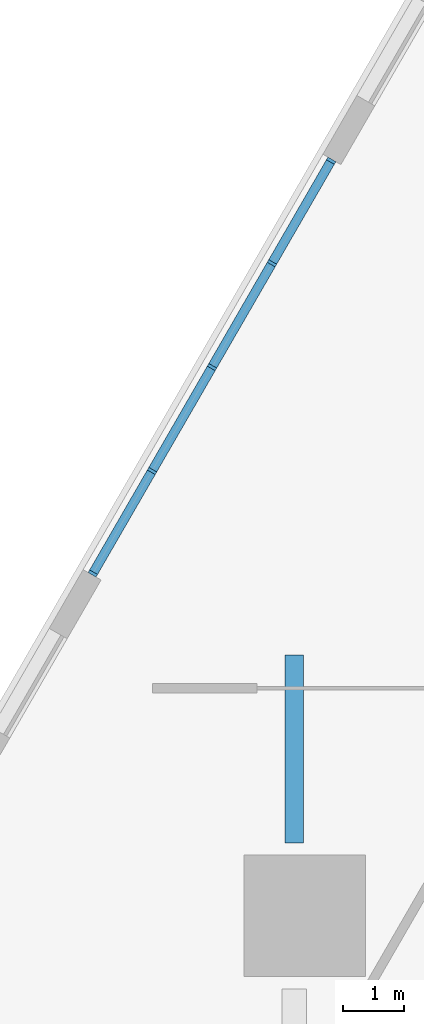
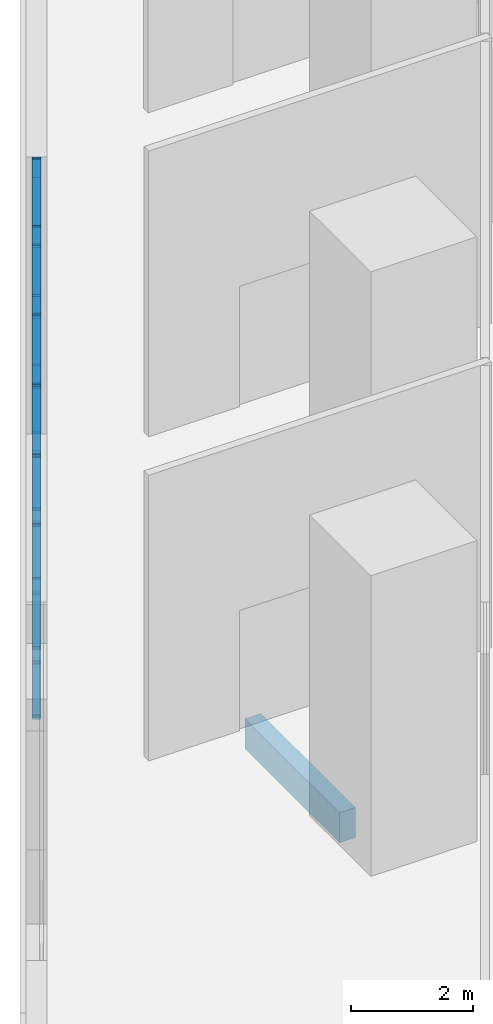
# One storey, part 6 of 27: 29 members, 1 beam, 1 element without a shape of its own.
"""IFC4 building model written with IfcOpenShell, lengths in metres."""

from ifc_helpers import new_model, si_unit, direction, frame, origin, origin_2d, place, context, subcontext, project, spatial, rectangle, extrude, material, material_profile, profile_set, type_object, element, aggregate, save


model = new_model("IFC4")

# Units and contexts
model_context = context("Model", 3, precision=1e-05, world=origin(), true_north=direction((0.0, 1.0)))
body_context = subcontext(model_context, "Body", "Model", "MODEL_VIEW")
ifc_project = project(units=[si_unit("LENGTHUNIT", "METRE"), si_unit("AREAUNIT", "SQUARE_METRE"), si_unit("VOLUMEUNIT", "CUBIC_METRE"), si_unit("PLANEANGLEUNIT", "RADIAN"), si_unit("MASSUNIT", "GRAM", prefix="KILO")], contexts=[model_context])

# Site, building, storey
site_placement = place(None, origin())
site = spatial("IfcSite", under=ifc_project, at=site_placement, CompositionType="ELEMENT")
building_placement = place(site_placement, origin())
building = spatial("IfcBuilding", under=site, at=building_placement, Name="Fogline Exchange Tower", CompositionType="ELEMENT")
storey_placement = place(building_placement, frame((0.0, 0.0, 8.0)))
storey = spatial("IfcBuildingStorey", under=building, at=storey_placement, Name="L01", CompositionType="ELEMENT", Elevation=8.0)

# Beam
ifc_material_1 = material(Name="Concrete C40", Category="concrete")
ifc_material_profile_1 = material_profile(ifc_material_1, rectangle(XDim=0.300048828125, YDim=0.60009765625, at=origin_2d()), Name="RC 300x600")
ifc_profile_set_1 = profile_set([ifc_material_profile_1], Name="Concrete C40")
beam_type = type_object("IfcBeamType", Name="B06", PredefinedType="BEAM", material=ifc_profile_set_1)
beam_placement = place(storey_placement, frame((-18.0, 41.4580078125, -0.60009765625), z_axis=(0.0, 1.0, 0.0), x_axis=(-1.0, 0.0, 0.0)))
element("IfcBeam", 1, at=beam_placement, inside=storey, type_object=beam_type, Name="SB015", PredefinedType="BEAM", context=body_context, shape_type="SweptSolid", body=[
    extrude(rectangle(XDim=0.300048828125, YDim=0.60009765625, at=origin_2d()), origin(), (0.0, 0.0, 1.0), 3.092041015625),
])

# Curtain wall, members
ifc_material_2 = material(Name="Aluminium and glass", Category="aluminium")
curtain_wall_type = type_object("IfcCurtainWallType", Name="CW3", PredefinedType="NOTDEFINED", material=ifc_material_2)
curtain_wall_placement = place(storey_placement, origin())
curtain_wall = element("IfcCurtainWall", 2, at=curtain_wall_placement, inside=storey, type_object=curtain_wall_type, Name="CW3 L01 W run 2", PredefinedType="NOTDEFINED")
ifc_material_3 = material(Name="Aluminium", Category="aluminium")
ifc_material_profile_2 = material_profile(ifc_material_3, rectangle(XDim=0.14990234375, YDim=0.050048828125, at=origin_2d()), Name="Mullion 50x150")
ifc_profile_set_2 = profile_set([ifc_material_profile_2], Name="Aluminium")
member_type_1 = type_object("IfcMemberType", Name="CW3-M", PredefinedType="MULLION", material=ifc_profile_set_2)
member_1_placement = place(storey_placement, frame((-17.39404296875, 52.671142578125, 0.0), z_axis=(0.0, 0.0, 1.0), x_axis=(0.866025393993, -0.500000016959, 0.0)))
member_1 = element("IfcMember", 3, at=member_1_placement, type_object=member_type_1, Name="CW3-P01-09 mullion 1", PredefinedType="MULLION", context=body_context, shape_type="SweptSolid", body=[
    extrude(rectangle(XDim=0.14990234375, YDim=0.050048828125, at=origin_2d()), origin(), (0.0, 0.0, 1.0), 5.699951171875),
])
member_2_placement = place(storey_placement, frame((-18.3671875, 50.985595703125, 0.0), z_axis=(0.0, 0.0, 1.0), x_axis=(0.866025393993, -0.500000016959, 0.0)))
member_2 = element("IfcMember", 4, at=member_2_placement, type_object=member_type_1, Name="CW3-P01-09 mullion 2", PredefinedType="MULLION", context=body_context, shape_type="SweptSolid", body=[
    extrude(rectangle(XDim=0.14990234375, YDim=0.050048828125, at=origin_2d()), origin(), (0.0, 0.0, 1.0), 5.699951171875),
])
member_3_placement = place(storey_placement, frame((-19.352783203125, 49.278564453125, 0.0), z_axis=(0.0, 0.0, 1.0), x_axis=(0.866025393993, -0.500000016959, 0.0)))
member_3 = element("IfcMember", 5, at=member_3_placement, type_object=member_type_1, Name="CW3-P01-09 mullion 3", PredefinedType="MULLION", context=body_context, shape_type="SweptSolid", body=[
    extrude(rectangle(XDim=0.14990234375, YDim=0.050048828125, at=origin_2d()), origin(), (0.0, 0.0, 1.0), 5.699951171875),
])
member_4_placement = place(storey_placement, frame((-20.33837890625, 47.5712890625, 0.0), z_axis=(0.0, 0.0, 1.0), x_axis=(0.866025393993, -0.500000016959, 0.0)))
member_4 = element("IfcMember", 6, at=member_4_placement, type_object=member_type_1, Name="CW3-P01-09 mullion 4", PredefinedType="MULLION", context=body_context, shape_type="SweptSolid", body=[
    extrude(rectangle(XDim=0.14990234375, YDim=0.050048828125, at=origin_2d()), origin(), (0.0, 0.0, 1.0), 5.699951171875),
])
member_5_placement = place(storey_placement, frame((-21.3115234375, 45.8857421875, 0.0), z_axis=(0.0, 0.0, 1.0), x_axis=(0.866025393993, -0.500000016959, 0.0)))
member_5 = element("IfcMember", 7, at=member_5_placement, type_object=member_type_1, Name="CW3-P01-09 mullion 5", PredefinedType="MULLION", context=body_context, shape_type="SweptSolid", body=[
    extrude(rectangle(XDim=0.14990234375, YDim=0.050048828125, at=origin_2d()), origin(), (0.0, 0.0, 1.0), 5.699951171875),
])
ifc_material_profile_3 = material_profile(ifc_material_3, rectangle(XDim=0.14990234375, YDim=0.06005859375, at=origin_2d()), Name="Transom 60x150")
ifc_profile_set_3 = profile_set([ifc_material_profile_3], Name="Aluminium")
member_type_2 = type_object("IfcMemberType", Name="CW3-T", PredefinedType="USERDEFINED", material=ifc_profile_set_3)
member_6_placement = place(storey_placement, frame((-17.406494140625, 52.6494140625, 0.030029296875), z_axis=(-0.500071657253, -0.865984028497, 0.0), x_axis=(0.865984028497, -0.500071657253, 0.0)))
member_6 = element("IfcMember", 8, at=member_6_placement, type_object=member_type_2, Name="CW3-P01-09 transom 1.1", ObjectType="TRANSOM", PredefinedType="USERDEFINED", context=body_context, shape_type="SweptSolid", body=[
    extrude(rectangle(XDim=0.14990234375, YDim=0.06005859375, at=origin_2d()), origin(), (0.0, 0.0, 1.0), 1.896240234375),
])
member_7_placement = place(storey_placement, frame((-17.406494140625, 52.6494140625, 1.10009765625), z_axis=(-0.500071657253, -0.865984028497, 0.0), x_axis=(0.865984028497, -0.500071657253, 0.0)))
member_7 = element("IfcMember", 9, at=member_7_placement, type_object=member_type_2, Name="CW3-P01-09 transom 1.2", ObjectType="TRANSOM", PredefinedType="USERDEFINED", context=body_context, shape_type="SweptSolid", body=[
    extrude(rectangle(XDim=0.14990234375, YDim=0.06005859375, at=origin_2d()), origin(), (0.0, 0.0, 1.0), 1.896240234375),
])
member_8_placement = place(storey_placement, frame((-17.406494140625, 52.6494140625, 2.5), z_axis=(-0.500071657253, -0.865984028497, 0.0), x_axis=(0.865984028497, -0.500071657253, 0.0)))
member_8 = element("IfcMember", 10, at=member_8_placement, type_object=member_type_2, Name="CW3-P01-09 transom 1.3", ObjectType="TRANSOM", PredefinedType="USERDEFINED", context=body_context, shape_type="SweptSolid", body=[
    extrude(rectangle(XDim=0.14990234375, YDim=0.06005859375, at=origin_2d()), origin(), (0.0, 0.0, 1.0), 1.896240234375),
])
member_9_placement = place(storey_placement, frame((-17.406494140625, 52.6494140625, 3.89990234375), z_axis=(-0.500071657253, -0.865984028497, 0.0), x_axis=(0.865984028497, -0.500071657253, 0.0)))
member_9 = element("IfcMember", 11, at=member_9_placement, type_object=member_type_2, Name="CW3-P01-09 transom 1.4", ObjectType="TRANSOM", PredefinedType="USERDEFINED", context=body_context, shape_type="SweptSolid", body=[
    extrude(rectangle(XDim=0.14990234375, YDim=0.06005859375, at=origin_2d()), origin(), (0.0, 0.0, 1.0), 1.896240234375),
])
member_10_placement = place(storey_placement, frame((-17.406494140625, 52.6494140625, 5.300048828125), z_axis=(-0.500071657253, -0.865984028497, 0.0), x_axis=(0.865984028497, -0.500071657253, 0.0)))
member_10 = element("IfcMember", 12, at=member_10_placement, type_object=member_type_2, Name="CW3-P01-09 transom 1.5", ObjectType="TRANSOM", PredefinedType="USERDEFINED", context=body_context, shape_type="SweptSolid", body=[
    extrude(rectangle(XDim=0.14990234375, YDim=0.06005859375, at=origin_2d()), origin(), (0.0, 0.0, 1.0), 1.896240234375),
])
member_11_placement = place(storey_placement, frame((-17.406494140625, 52.6494140625, 5.669921875), z_axis=(-0.500071657253, -0.865984028497, 0.0), x_axis=(0.865984028497, -0.500071657253, 0.0)))
member_11 = element("IfcMember", 13, at=member_11_placement, type_object=member_type_2, Name="CW3-P01-09 transom 1.6", ObjectType="TRANSOM", PredefinedType="USERDEFINED", context=body_context, shape_type="SweptSolid", body=[
    extrude(rectangle(XDim=0.14990234375, YDim=0.06005859375, at=origin_2d()), origin(), (0.0, 0.0, 1.0), 1.896240234375),
])
member_12_placement = place(storey_placement, frame((-18.379638671875, 50.9638671875, 0.030029296875), z_axis=(-0.500034110783, -0.866005709019, 0.0), x_axis=(0.866005709019, -0.500034110783, 0.0)))
member_12 = element("IfcMember", 14, at=member_12_placement, type_object=member_type_2, Name="CW3-P01-09 transom 2.1", ObjectType="TRANSOM", PredefinedType="USERDEFINED", context=body_context, shape_type="SweptSolid", body=[
    extrude(rectangle(XDim=0.14990234375, YDim=0.06005859375, at=origin_2d()), origin(), (0.0, 0.0, 1.0), 1.921142578125),
])
member_13_placement = place(storey_placement, frame((-18.379638671875, 50.9638671875, 1.10009765625), z_axis=(-0.500034110783, -0.866005709019, 0.0), x_axis=(0.866005709019, -0.500034110783, 0.0)))
member_13 = element("IfcMember", 15, at=member_13_placement, type_object=member_type_2, Name="CW3-P01-09 transom 2.2", ObjectType="TRANSOM", PredefinedType="USERDEFINED", context=body_context, shape_type="SweptSolid", body=[
    extrude(rectangle(XDim=0.14990234375, YDim=0.06005859375, at=origin_2d()), origin(), (0.0, 0.0, 1.0), 1.921142578125),
])
member_14_placement = place(storey_placement, frame((-18.379638671875, 50.9638671875, 2.5), z_axis=(-0.500034110783, -0.866005709019, 0.0), x_axis=(0.866005709019, -0.500034110783, 0.0)))
member_14 = element("IfcMember", 16, at=member_14_placement, type_object=member_type_2, Name="CW3-P01-09 transom 2.3", ObjectType="TRANSOM", PredefinedType="USERDEFINED", context=body_context, shape_type="SweptSolid", body=[
    extrude(rectangle(XDim=0.14990234375, YDim=0.06005859375, at=origin_2d()), origin(), (0.0, 0.0, 1.0), 1.921142578125),
])
member_15_placement = place(storey_placement, frame((-18.379638671875, 50.9638671875, 3.89990234375), z_axis=(-0.500034110783, -0.866005709019, 0.0), x_axis=(0.866005709019, -0.500034110783, 0.0)))
member_15 = element("IfcMember", 17, at=member_15_placement, type_object=member_type_2, Name="CW3-P01-09 transom 2.4", ObjectType="TRANSOM", PredefinedType="USERDEFINED", context=body_context, shape_type="SweptSolid", body=[
    extrude(rectangle(XDim=0.14990234375, YDim=0.06005859375, at=origin_2d()), origin(), (0.0, 0.0, 1.0), 1.921142578125),
])
member_16_placement = place(storey_placement, frame((-18.379638671875, 50.9638671875, 5.300048828125), z_axis=(-0.500034110783, -0.866005709019, 0.0), x_axis=(0.866005709019, -0.500034110783, 0.0)))
member_16 = element("IfcMember", 18, at=member_16_placement, type_object=member_type_2, Name="CW3-P01-09 transom 2.5", ObjectType="TRANSOM", PredefinedType="USERDEFINED", context=body_context, shape_type="SweptSolid", body=[
    extrude(rectangle(XDim=0.14990234375, YDim=0.06005859375, at=origin_2d()), origin(), (0.0, 0.0, 1.0), 1.921142578125),
])
member_17_placement = place(storey_placement, frame((-18.379638671875, 50.9638671875, 5.669921875), z_axis=(-0.500034110783, -0.866005709019, 0.0), x_axis=(0.866005709019, -0.500034110783, 0.0)))
member_17 = element("IfcMember", 19, at=member_17_placement, type_object=member_type_2, Name="CW3-P01-09 transom 2.6", ObjectType="TRANSOM", PredefinedType="USERDEFINED", context=body_context, shape_type="SweptSolid", body=[
    extrude(rectangle(XDim=0.14990234375, YDim=0.06005859375, at=origin_2d()), origin(), (0.0, 0.0, 1.0), 1.921142578125),
])
member_18_placement = place(storey_placement, frame((-19.365234375, 49.2568359375, 0.030029296875), z_axis=(-0.500034110783, -0.866005709019, 0.0), x_axis=(0.866005709019, -0.500034110783, 0.0)))
member_18 = element("IfcMember", 20, at=member_18_placement, type_object=member_type_2, Name="CW3-P01-09 transom 3.1", ObjectType="TRANSOM", PredefinedType="USERDEFINED", context=body_context, shape_type="SweptSolid", body=[
    extrude(rectangle(XDim=0.14990234375, YDim=0.06005859375, at=origin_2d()), origin(), (0.0, 0.0, 1.0), 1.921142578125),
])
member_19_placement = place(storey_placement, frame((-19.365234375, 49.2568359375, 1.10009765625), z_axis=(-0.500034110783, -0.866005709019, 0.0), x_axis=(0.866005709019, -0.500034110783, 0.0)))
member_19 = element("IfcMember", 21, at=member_19_placement, type_object=member_type_2, Name="CW3-P01-09 transom 3.2", ObjectType="TRANSOM", PredefinedType="USERDEFINED", context=body_context, shape_type="SweptSolid", body=[
    extrude(rectangle(XDim=0.14990234375, YDim=0.06005859375, at=origin_2d()), origin(), (0.0, 0.0, 1.0), 1.921142578125),
])
member_20_placement = place(storey_placement, frame((-19.365234375, 49.2568359375, 2.5), z_axis=(-0.500034110783, -0.866005709019, 0.0), x_axis=(0.866005709019, -0.500034110783, 0.0)))
member_20 = element("IfcMember", 22, at=member_20_placement, type_object=member_type_2, Name="CW3-P01-09 transom 3.3", ObjectType="TRANSOM", PredefinedType="USERDEFINED", context=body_context, shape_type="SweptSolid", body=[
    extrude(rectangle(XDim=0.14990234375, YDim=0.06005859375, at=origin_2d()), origin(), (0.0, 0.0, 1.0), 1.921142578125),
])
member_21_placement = place(storey_placement, frame((-19.365234375, 49.2568359375, 3.89990234375), z_axis=(-0.500034110783, -0.866005709019, 0.0), x_axis=(0.866005709019, -0.500034110783, 0.0)))
member_21 = element("IfcMember", 23, at=member_21_placement, type_object=member_type_2, Name="CW3-P01-09 transom 3.4", ObjectType="TRANSOM", PredefinedType="USERDEFINED", context=body_context, shape_type="SweptSolid", body=[
    extrude(rectangle(XDim=0.14990234375, YDim=0.06005859375, at=origin_2d()), origin(), (0.0, 0.0, 1.0), 1.921142578125),
])
member_22_placement = place(storey_placement, frame((-19.365234375, 49.2568359375, 5.300048828125), z_axis=(-0.500034110783, -0.866005709019, 0.0), x_axis=(0.866005709019, -0.500034110783, 0.0)))
member_22 = element("IfcMember", 24, at=member_22_placement, type_object=member_type_2, Name="CW3-P01-09 transom 3.5", ObjectType="TRANSOM", PredefinedType="USERDEFINED", context=body_context, shape_type="SweptSolid", body=[
    extrude(rectangle(XDim=0.14990234375, YDim=0.06005859375, at=origin_2d()), origin(), (0.0, 0.0, 1.0), 1.921142578125),
])
member_23_placement = place(storey_placement, frame((-19.365234375, 49.2568359375, 5.669921875), z_axis=(-0.500034110783, -0.866005709019, 0.0), x_axis=(0.866005709019, -0.500034110783, 0.0)))
member_23 = element("IfcMember", 25, at=member_23_placement, type_object=member_type_2, Name="CW3-P01-09 transom 3.6", ObjectType="TRANSOM", PredefinedType="USERDEFINED", context=body_context, shape_type="SweptSolid", body=[
    extrude(rectangle(XDim=0.14990234375, YDim=0.06005859375, at=origin_2d()), origin(), (0.0, 0.0, 1.0), 1.921142578125),
])
member_24_placement = place(storey_placement, frame((-20.350830078125, 47.549560546875, 0.030029296875), z_axis=(-0.500071657253, -0.865984028497, 0.0), x_axis=(0.865984028497, -0.500071657253, 0.0)))
member_24 = element("IfcMember", 26, at=member_24_placement, type_object=member_type_2, Name="CW3-P01-09 transom 4.1", ObjectType="TRANSOM", PredefinedType="USERDEFINED", context=body_context, shape_type="SweptSolid", body=[
    extrude(rectangle(XDim=0.14990234375, YDim=0.06005859375, at=origin_2d()), origin(), (0.0, 0.0, 1.0), 1.896240234375),
])
member_25_placement = place(storey_placement, frame((-20.350830078125, 47.549560546875, 1.10009765625), z_axis=(-0.500071657253, -0.865984028497, 0.0), x_axis=(0.865984028497, -0.500071657253, 0.0)))
member_25 = element("IfcMember", 27, at=member_25_placement, type_object=member_type_2, Name="CW3-P01-09 transom 4.2", ObjectType="TRANSOM", PredefinedType="USERDEFINED", context=body_context, shape_type="SweptSolid", body=[
    extrude(rectangle(XDim=0.14990234375, YDim=0.06005859375, at=origin_2d()), origin(), (0.0, 0.0, 1.0), 1.896240234375),
])
member_26_placement = place(storey_placement, frame((-20.350830078125, 47.549560546875, 2.5), z_axis=(-0.500071657253, -0.865984028497, 0.0), x_axis=(0.865984028497, -0.500071657253, 0.0)))
member_26 = element("IfcMember", 28, at=member_26_placement, type_object=member_type_2, Name="CW3-P01-09 transom 4.3", ObjectType="TRANSOM", PredefinedType="USERDEFINED", context=body_context, shape_type="SweptSolid", body=[
    extrude(rectangle(XDim=0.14990234375, YDim=0.06005859375, at=origin_2d()), origin(), (0.0, 0.0, 1.0), 1.896240234375),
])
member_27_placement = place(storey_placement, frame((-20.350830078125, 47.549560546875, 3.89990234375), z_axis=(-0.500071657253, -0.865984028497, 0.0), x_axis=(0.865984028497, -0.500071657253, 0.0)))
member_27 = element("IfcMember", 29, at=member_27_placement, type_object=member_type_2, Name="CW3-P01-09 transom 4.4", ObjectType="TRANSOM", PredefinedType="USERDEFINED", context=body_context, shape_type="SweptSolid", body=[
    extrude(rectangle(XDim=0.14990234375, YDim=0.06005859375, at=origin_2d()), origin(), (0.0, 0.0, 1.0), 1.896240234375),
])
member_28_placement = place(storey_placement, frame((-20.350830078125, 47.549560546875, 5.300048828125), z_axis=(-0.500071657253, -0.865984028497, 0.0), x_axis=(0.865984028497, -0.500071657253, 0.0)))
member_28 = element("IfcMember", 30, at=member_28_placement, type_object=member_type_2, Name="CW3-P01-09 transom 4.5", ObjectType="TRANSOM", PredefinedType="USERDEFINED", context=body_context, shape_type="SweptSolid", body=[
    extrude(rectangle(XDim=0.14990234375, YDim=0.06005859375, at=origin_2d()), origin(), (0.0, 0.0, 1.0), 1.896240234375),
])
member_29_placement = place(storey_placement, frame((-20.350830078125, 47.549560546875, 5.669921875), z_axis=(-0.500071657253, -0.865984028497, 0.0), x_axis=(0.865984028497, -0.500071657253, 0.0)))
member_29 = element("IfcMember", 31, at=member_29_placement, type_object=member_type_2, Name="CW3-P01-09 transom 4.6", ObjectType="TRANSOM", PredefinedType="USERDEFINED", context=body_context, shape_type="SweptSolid", body=[
    extrude(rectangle(XDim=0.14990234375, YDim=0.06005859375, at=origin_2d()), origin(), (0.0, 0.0, 1.0), 1.896240234375),
])
aggregate(curtain_wall, [member_1, member_2, member_3, member_4, member_5, member_6, member_7, member_8, member_9, member_10, member_11, member_12, member_13, member_14, member_15, member_16, member_17, member_18, member_19, member_20, member_21, member_22, member_23, member_24, member_25, member_26, member_27, member_28, member_29])

save(model, "model.ifc")
